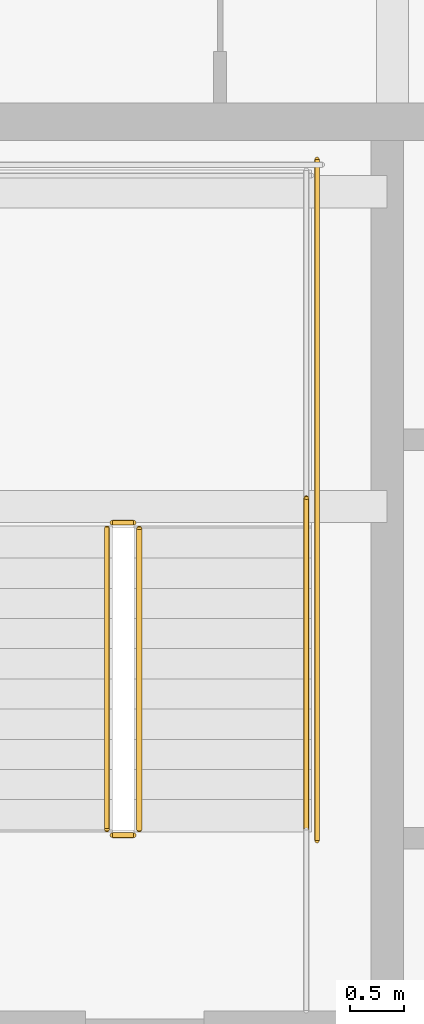
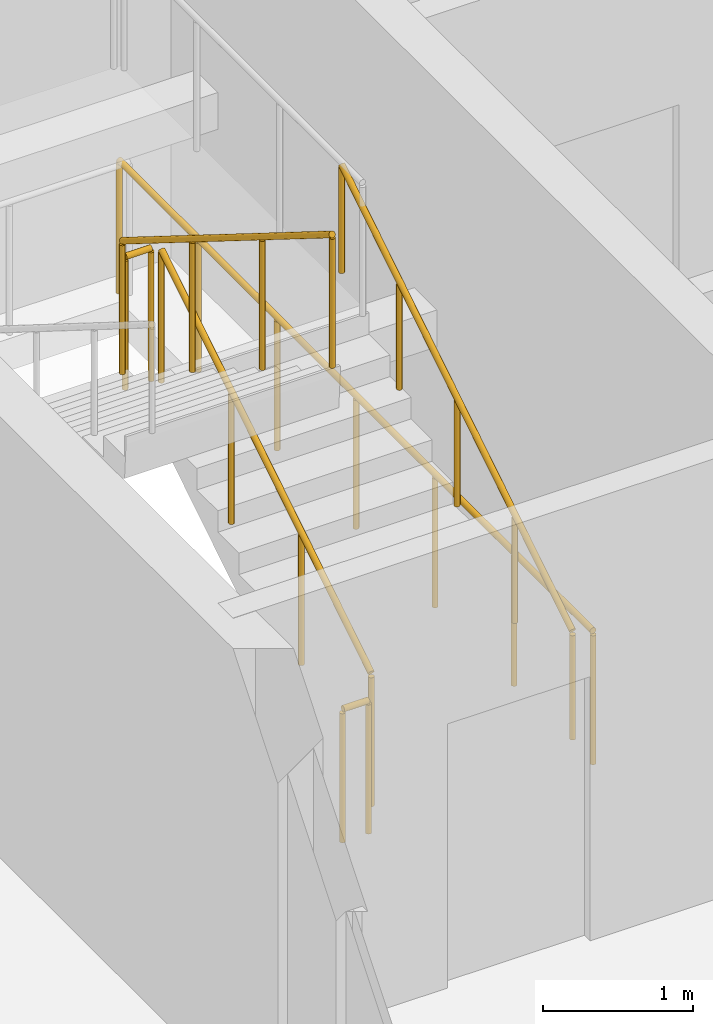
# One storey, part 33 of 36: 6 railings.
"""IFC4 building model written with IfcOpenShell, lengths in metres."""

from ifc_helpers import new_model, si_unit, direction, frame, origin, origin_2d, place, context, subcontext, project, spatial, circle, extrude, material, type_object, element, save


model = new_model("IFC4")

# Units and contexts
model_context = context("Model", 3, precision=1e-05, world=origin(), true_north=direction((0.0, 1.0)))
body_context = subcontext(model_context, "Body", "Model", "MODEL_VIEW")
ifc_project = project(units=[si_unit("LENGTHUNIT", "METRE"), si_unit("AREAUNIT", "SQUARE_METRE"), si_unit("VOLUMEUNIT", "CUBIC_METRE"), si_unit("PLANEANGLEUNIT", "RADIAN"), si_unit("MASSUNIT", "GRAM", prefix="KILO")], contexts=[model_context])

# Site, building, storey
site_placement = place(None, origin())
site = spatial("IfcSite", under=ifc_project, at=site_placement, CompositionType="ELEMENT")
building_placement = place(site_placement, origin())
building = spatial("IfcBuilding", under=site, at=building_placement, Name="Serunith Strait Residences", CompositionType="ELEMENT")
storey_placement = place(building_placement, frame((0.0, 0.0, 272.050048828125)))
storey = spatial("IfcBuildingStorey", under=building, at=storey_placement, Name="L68", CompositionType="ELEMENT", Elevation=272.050048828125)

# Railings
ifc_material = material(Name="Brushed stainless steel 316L", Category="steel")
railing_type_1 = type_object("IfcRailingType", Name="RLG-STAIR-GUARD", PredefinedType="BALUSTRADE", material=ifc_material)
railing_1_placement = place(storey_placement, frame((25.550048828125, 27.030029296875, 0.175048828125)))
element("IfcRailing", 1, at=railing_1_placement, inside=storey, type_object=railing_type_1, Name="L68 ST-1 stair guard 1", PredefinedType="BALUSTRADE", context=body_context, shape_type="SweptSolid", body=[
    extrude(circle(Radius=0.02392578125, at=origin_2d()), frame((0.0, 0.001708984375, 1.0771484375), z_axis=(0.0, 0.848002457836, 0.529992293815), x_axis=(-1.0, 0.0, 0.0)), (0.0, 0.0, 1.0), 3.2978515625),
    extrude(circle(Radius=0.02099609375, at=origin_2d()), origin(), (0.0, 0.0, 1.0), 1.050048828125),
    extrude(circle(Radius=0.02099609375, at=origin_2d()), frame((0.0, 0.933349609375, 0.583251953125)), (0.0, 0.0, 1.0), 1.050048828125),
    extrude(circle(Radius=0.02099609375, at=origin_2d()), frame((0.0, 1.86669921875, 1.166748046875)), (0.0, 0.0, 1.0), 1.050048828125),
    extrude(circle(Radius=0.02099609375, at=origin_2d()), frame((0.0, 2.800048828125, 1.75)), (0.0, 0.0, 1.0), 1.050048828125),
])
railing_2_placement = place(storey_placement, frame((25.5, 29.8798828125, 1.925048828125)))
element("IfcRailing", 2, at=railing_2_placement, inside=storey, type_object=railing_type_1, Name="L68 ST-1 stair guard 2", PredefinedType="BALUSTRADE", context=body_context, shape_type="SweptSolid", body=[
    extrude(circle(Radius=0.02392578125, at=origin_2d()), frame((-0.001953125, 0.0, 1.076171875), z_axis=(-1.0, 0.0, 0.0), x_axis=(0.0, -1.0, 0.0)), (0.0, 0.0, 1.0), 0.196044921875),
    extrude(circle(Radius=0.02099609375, at=origin_2d()), origin(), (0.0, 0.0, 1.0), 1.050048828125),
    extrude(circle(Radius=0.02099609375, at=origin_2d()), frame((-0.199951171875, 0.0, 0.0)), (0.0, 0.0, 1.0), 1.050048828125),
])
railing_3_placement = place(storey_placement, frame((25.25, 29.830078125, 2.099853515625)))
element("IfcRailing", 3, at=railing_3_placement, inside=storey, type_object=railing_type_1, Name="L68 ST-1 stair guard 6", PredefinedType="BALUSTRADE", context=body_context, shape_type="SweptSolid", body=[
    extrude(circle(Radius=0.02392578125, at=origin_2d()), frame((0.0, -0.001708984375, 1.0771484375), z_axis=(0.0, -0.848002457836, 0.529992293815), x_axis=(1.0, 0.0, 0.0)), (0.0, 0.0, 1.0), 3.2978515625),
    extrude(circle(Radius=0.02099609375, at=origin_2d()), origin(), (0.0, 0.0, 1.0), 1.050048828125),
    extrude(circle(Radius=0.02099609375, at=origin_2d()), frame((0.0, -0.933349609375, 0.583251953125)), (0.0, 0.0, 1.0), 1.050048828125),
    extrude(circle(Radius=0.02099609375, at=origin_2d()), frame((0.0, -1.86669921875, 1.166748046875)), (0.0, 0.0, 1.0), 1.050048828125),
    extrude(circle(Radius=0.02099609375, at=origin_2d()), frame((0.0, -2.800048828125, 1.75)), (0.0, 0.0, 1.0), 1.050048828125),
])
railing_4_placement = place(storey_placement, frame((25.5, 26.97998046875, 0.0)))
element("IfcRailing", 4, at=railing_4_placement, inside=storey, type_object=railing_type_1, Name="L68 ST-1 stair guard 7", PredefinedType="BALUSTRADE", context=body_context, shape_type="SweptSolid", body=[
    extrude(circle(Radius=0.02392578125, at=origin_2d()), frame((-0.001953125, 0.0, 1.076171875), z_axis=(-1.0, 0.0, 0.0), x_axis=(0.0, -1.0, 0.0)), (0.0, 0.0, 1.0), 0.196044921875),
    extrude(circle(Radius=0.02099609375, at=origin_2d()), origin(), (0.0, 0.0, 1.0), 1.050048828125),
    extrude(circle(Radius=0.02099609375, at=origin_2d()), frame((-0.199951171875, 0.0, 0.0)), (0.0, 0.0, 1.0), 1.050048828125),
])
railing_5_placement = place(storey_placement, frame((27.199951171875, 26.929931640625, 0.0)))
element("IfcRailing", 5, at=railing_5_placement, inside=storey, type_object=railing_type_1, Name="L68 ST-1 stair guard 10", PredefinedType="BALUSTRADE", context=body_context, shape_type="SweptSolid", body=[
    extrude(circle(Radius=0.02392578125, at=origin_2d()), frame((0.0, 0.001953125, 1.076171875), z_axis=(0.0, 1.0, 0.0), x_axis=(-1.0, 0.0, 0.0)), (0.0, 0.0, 1.0), 6.316162109375),
    extrude(circle(Radius=0.02099609375, at=origin_2d()), origin(), (0.0, 0.0, 1.0), 1.050048828125),
    extrude(circle(Radius=0.02099609375, at=origin_2d()), frame((0.0, 1.05322265625, 0.0)), (0.0, 0.0, 1.0), 1.050048828125),
    extrude(circle(Radius=0.02099609375, at=origin_2d()), frame((0.0, 2.106689453125, 0.0)), (0.0, 0.0, 1.0), 1.050048828125),
    extrude(circle(Radius=0.02099609375, at=origin_2d()), frame((0.0, 3.16015625, 0.0)), (0.0, 0.0, 1.0), 1.050048828125),
    extrude(circle(Radius=0.02099609375, at=origin_2d()), frame((0.0, 4.21337890625, 0.0)), (0.0, 0.0, 1.0), 1.050048828125),
    extrude(circle(Radius=0.02099609375, at=origin_2d()), frame((0.0, 5.2666015625, 0.0)), (0.0, 0.0, 1.0), 1.050048828125),
    extrude(circle(Radius=0.02099609375, at=origin_2d()), frame((0.0, 6.320068359375, 0.0)), (0.0, 0.0, 1.0), 1.050048828125),
])
railing_type_2 = type_object("IfcRailingType", Name="RLG-STAIR-HR", PredefinedType="HANDRAIL", material=ifc_material)
railing_6_placement = place(storey_placement, frame((27.10009765625, 27.030029296875, 0.175048828125)))
element("IfcRailing", 6, at=railing_6_placement, inside=storey, type_object=railing_type_2, Name="L68 ST-1 stair handrail 1", PredefinedType="HANDRAIL", context=body_context, shape_type="SweptSolid", body=[
    extrude(circle(Radius=0.02392578125, at=origin_2d()), frame((0.0, 0.001708984375, 0.876953125), z_axis=(0.0, 0.847393994688, 0.530964610654), x_axis=(-1.0, 0.0, 0.0)), (0.0, 0.0, 1.0), 3.630859375),
    extrude(circle(Radius=0.02099609375, at=origin_2d()), origin(), (0.0, 0.0, 1.0), 0.849853515625),
    extrude(circle(Radius=0.02099609375, at=origin_2d()), frame((0.0, 0.77001953125, 0.482421875)), (0.0, 0.0, 1.0), 0.849853515625),
    extrude(circle(Radius=0.02099609375, at=origin_2d()), frame((0.0, 1.5400390625, 0.96484375)), (0.0, 0.0, 1.0), 0.849853515625),
    extrude(circle(Radius=0.02099609375, at=origin_2d()), frame((0.0, 2.31005859375, 1.447509765625)), (0.0, 0.0, 1.0), 0.849853515625),
    extrude(circle(Radius=0.02099609375, at=origin_2d()), frame((0.0, 3.080078125, 1.929931640625)), (0.0, 0.0, 1.0), 0.849853515625),
])

save(model, "model.ifc")
